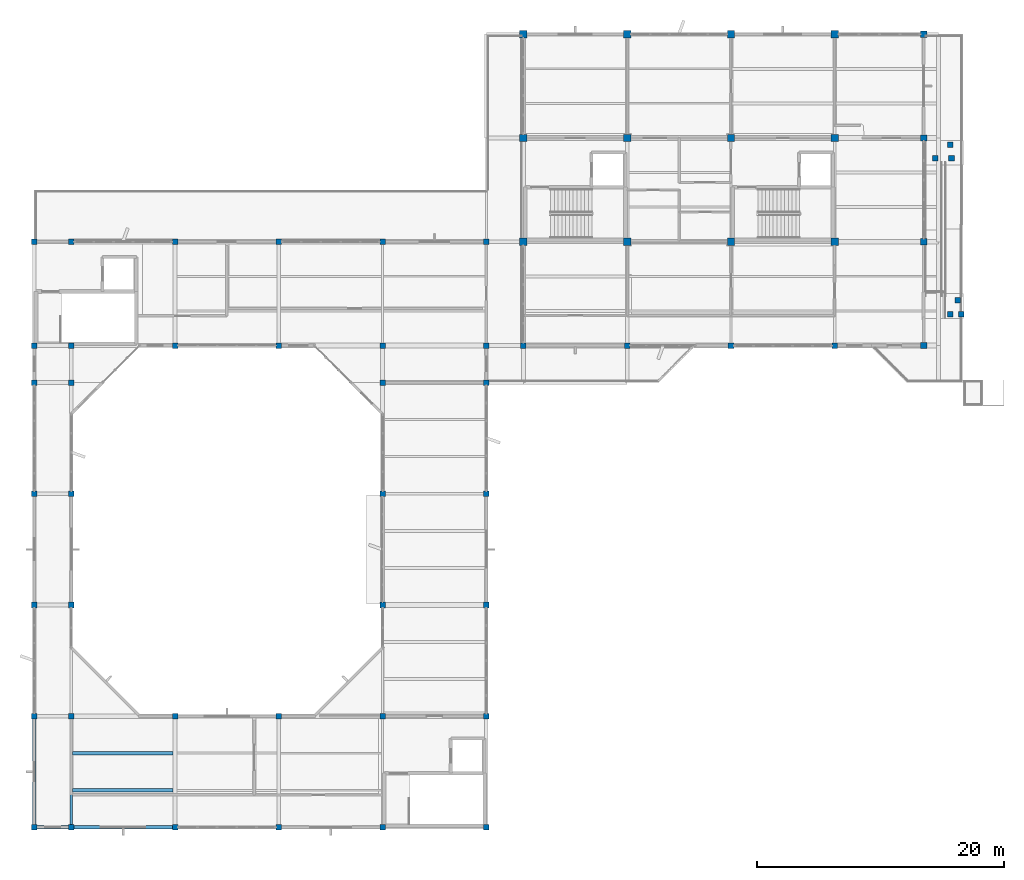
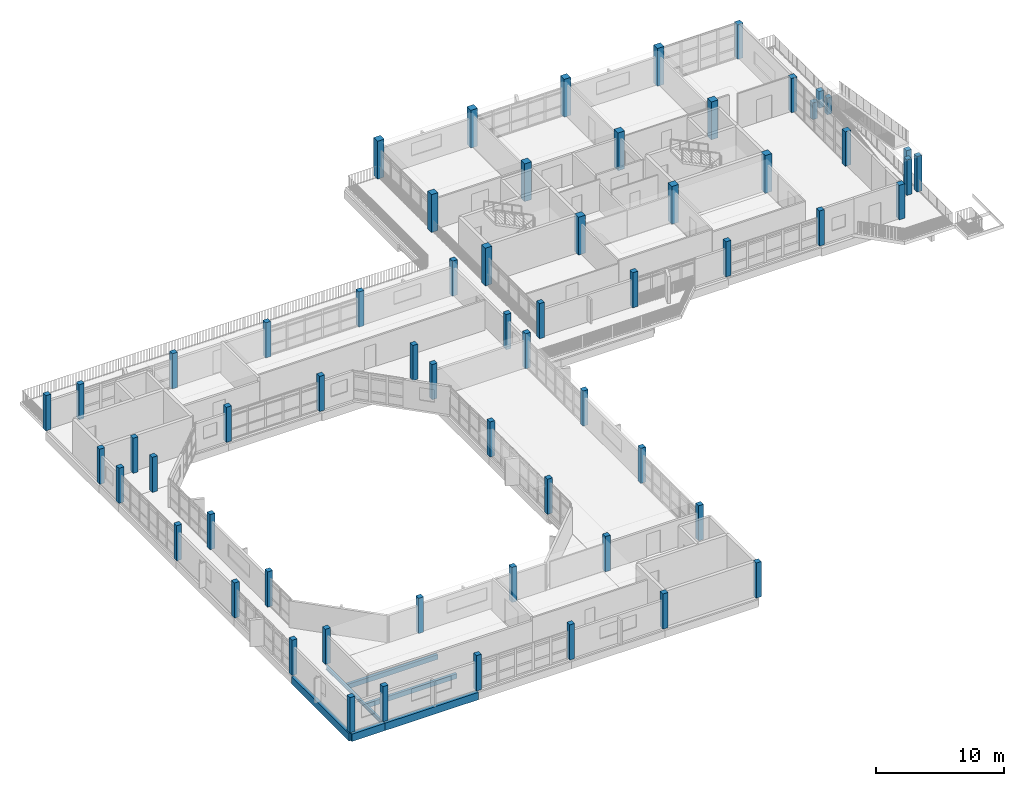
# One storey, part 1 of 33: 62 columns, 6 beams.
"""IFC4 building model written with IfcOpenShell, lengths in metres."""

from ifc_helpers import new_model, si_unit, direction, frame, origin, origin_2d, place, context, subcontext, project, spatial, rectangle, i_section, extrude, material, material_profile, profile_set, type_object, element, save


model = new_model("IFC4")

# Units and contexts
model_context = context("Model", 3, precision=1e-05, world=origin(), true_north=direction((0.0, 1.0)))
body_context = subcontext(model_context, "Body", "Model", "MODEL_VIEW")
ifc_project = project(units=[si_unit("LENGTHUNIT", "METRE"), si_unit("AREAUNIT", "SQUARE_METRE"), si_unit("VOLUMEUNIT", "CUBIC_METRE"), si_unit("PLANEANGLEUNIT", "RADIAN"), si_unit("MASSUNIT", "GRAM", prefix="KILO")], contexts=[model_context])

# Site, building, storey
site_placement = place(None, origin())
site = spatial("IfcSite", under=ifc_project, at=site_placement, CompositionType="ELEMENT")
building_placement = place(site_placement, origin())
building = spatial("IfcBuilding", under=site, at=building_placement, Name="Vanh Quang Courtyard School", CompositionType="ELEMENT")
storey_placement = place(building_placement, frame((0.0, 0.0, 18.60009765625)))
storey = spatial("IfcBuildingStorey", under=building, at=storey_placement, Name="L05", CompositionType="ELEMENT", Elevation=18.60009765625)

# Columns
ifc_material_1 = material(Name="Concrete C35/45", Category="concrete")
ifc_material_profile_1 = material_profile(ifc_material_1, rectangle(XDim=0.449951171875, YDim=0.449951171875, at=origin_2d()), Name="RC-COL 450x450")
ifc_profile_set_1 = profile_set([ifc_material_profile_1], Name="Concrete C35/45")
column_type_1 = type_object("IfcColumnType", Name="COL-RC-450", PredefinedType="COLUMN", material=ifc_profile_set_1)
for number, where, z_axis, x_axis, name in (
    (1, (37.800048828125, 32.39990234375, 0.0), (0.0, 0.0, 1.0), (1.0, 0.0, 0.0), "Column C-06 (L05)"),
    (2, (37.800048828125, 41.39990234375, 0.0), (0.0, 0.0, 1.0), (1.0, 0.0, 0.0), "Column C-06 (L05)"),
    (3, (37.800048828125, 50.39990234375, 0.0), (0.0, 0.0, 1.0), (1.0, 0.0, 0.0), "Column C-06 (L05)"),
    (4, (37.800048828125, 59.39990234375, 0.0), (0.0, 0.0, 1.0), (1.0, 0.0, 0.0), "Column C-06 (L05)"),
    (5, (37.800048828125, 68.39990234375, 0.0), (0.0, 0.0, 1.0), (1.0, 0.0, 0.0), "Column C-06 (L05)"),
    (6, (37.800048828125, 71.39990234375, 0.0), (0.0, 0.0, 1.0), (1.0, 0.0, 0.0), "Column C-06 (L05)"),
    (7, (37.800048828125, 79.800048828125, 0.0), (0.0, 0.0, 1.0), (1.0, 0.0, 0.0), "Column C-06 (L05)"),
    (8, (40.800048828125, 32.39990234375, 0.0), (0.0, 0.0, 1.0), (1.0, 0.0, 0.0), "Column C-06 (L05)"),
    (9, (40.800048828125, 41.39990234375, 0.0), (0.0, 0.0, 1.0), (1.0, 0.0, 0.0), "Column C-06 (L05)"),
    (10, (40.800048828125, 50.39990234375, 0.0), (0.0, 0.0, 1.0), (1.0, 0.0, 0.0), "Column C-06 (L05)"),
    (11, (40.800048828125, 59.39990234375, 0.0), (0.0, 0.0, 1.0), (1.0, 0.0, 0.0), "Column C-06 (L05)"),
    (12, (40.800048828125, 68.39990234375, 0.0), (0.0, 0.0, 1.0), (1.0, 0.0, 0.0), "Column C-06 (L05)"),
    (13, (40.800048828125, 71.39990234375, 0.0), (0.0, 0.0, 1.0), (1.0, 0.0, 0.0), "Column C-06 (L05)"),
    (14, (40.800048828125, 79.800048828125, 0.0), (0.0, 0.0, 1.0), (1.0, 0.0, 0.0), "Column C-06 (L05)"),
    (15, (49.199951171875, 32.39990234375, 0.0), (0.0, 0.0, 1.0), (1.0, 0.0, 0.0), "Column C-06 (L05)"),
    (16, (49.199951171875, 41.39990234375, 0.0), (0.0, 0.0, 1.0), (1.0, 0.0, 0.0), "Column C-06 (L05)"),
    (17, (49.199951171875, 71.39990234375, 0.0), (0.0, 0.0, 1.0), (1.0, 0.0, 0.0), "Column C-06 (L05)"),
    (18, (49.199951171875, 79.800048828125, 0.0), (0.0, 0.0, 1.0), (1.0, 0.0, 0.0), "Column C-06 (L05)"),
    (19, (57.60009765625, 32.39990234375, 0.0), (0.0, 0.0, 1.0), (1.0, 0.0, 0.0), "Column C-06 (L05)"),
    (20, (57.60009765625, 41.39990234375, 0.0), (0.0, 0.0, 1.0), (1.0, 0.0, 0.0), "Column C-06 (L05)"),
    (21, (57.60009765625, 71.39990234375, 0.0), (0.0, 0.0, 1.0), (1.0, 0.0, 0.0), "Column C-06 (L05)"),
    (22, (57.60009765625, 79.800048828125, 0.0), (0.0, 0.0, 1.0), (1.0, 0.0, 0.0), "Column C-06 (L05)"),
    (23, (66.0, 32.39990234375, 0.0), (0.0, 0.0, 1.0), (1.0, 0.0, 0.0), "Column C-06 (L05)"),
    (24, (66.0, 41.39990234375, 0.0), (0.0, 0.0, 1.0), (1.0, 0.0, 0.0), "Column C-06 (L05)"),
    (25, (66.0, 50.39990234375, 0.0), (0.0, 0.0, 1.0), (1.0, 0.0, 0.0), "Column C-06 (L05)"),
    (26, (66.0, 59.39990234375, 0.0), (0.0, 0.0, 1.0), (1.0, 0.0, 0.0), "Column C-06 (L05)"),
    (27, (66.0, 68.39990234375, 0.0), (0.0, 0.0, 1.0), (1.0, 0.0, 0.0), "Column C-06 (L05)"),
    (28, (66.0, 71.39990234375, 0.0), (0.0, 0.0, 1.0), (1.0, 0.0, 0.0), "Column C-06 (L05)"),
    (29, (66.0, 79.800048828125, 0.0), (0.0, 0.0, 1.0), (1.0, 0.0, 0.0), "Column C-06 (L05)"),
    (30, (74.39990234375, 32.39990234375, 0.0), (0.0, 0.0, 1.0), (1.0, 0.0, 0.0), "Column C-06 (L05)"),
    (31, (74.39990234375, 41.39990234375, 0.0), (0.0, 0.0, 1.0), (1.0, 0.0, 0.0), "Column C-06 (L05)"),
    (32, (74.39990234375, 50.39990234375, 0.0), (0.0, 0.0, 1.0), (1.0, 0.0, 0.0), "Column C-06 (L05)"),
    (33, (74.39990234375, 59.39990234375, 0.0), (0.0, 0.0, 1.0), (1.0, 0.0, 0.0), "Column C-06 (L05)"),
    (34, (74.39990234375, 68.39990234375, 0.0), (0.0, 0.0, 1.0), (1.0, 0.0, 0.0), "Column C-06 (L05)"),
    (35, (74.39990234375, 71.39990234375, 0.0), (0.0, 0.0, 1.0), (1.0, 0.0, 0.0), "Column C-06 (L05)"),
    (36, (74.39990234375, 79.800048828125, 0.0), (0.0, 0.0, 1.0), (1.0, 0.0, 0.0), "Column C-06 (L05)"),
    (37, (77.39990234375, 71.39990234375, 0.0), (0.0, 0.0, 1.0), (1.0, 0.0, 0.0), "Column C-06 (L05)"),
    (38, (85.800048828125, 71.39990234375, 0.0), (0.0, 0.0, 1.0), (1.0, 0.0, 0.0), "Column C-06 (L05)"),
    (39, (94.199951171875, 71.39990234375, 0.0), (0.0, 0.0, 1.0), (1.0, 0.0, 0.0), "Column C-06 (L05)"),
    (40, (102.60009765625, 71.39990234375, 0.0), (0.0, 0.0, 1.0), (1.0, 0.0, 0.0), "Column C-06 (L05)"),
):
    element("IfcColumn", number, at=place(storey_placement, frame(where, z_axis=z_axis, x_axis=x_axis)), inside=storey, type_object=column_type_1, Name=name, PredefinedType="COLUMN", context=body_context, shape_type="SweptSolid", body=[
        extrude(rectangle(XDim=0.449951171875, YDim=0.449951171875, at=origin_2d()), origin(), (0.0, 0.0, 1.0), 3.349853515625),
    ])
for number, where, z_axis, x_axis, name in (
    (41, (110.75, 86.550048828125, 0.0), (0.0, 0.0, 1.0), (1.0, 0.0, 0.0), "Column C-06 (L05)"),
    (42, (112.050048828125, 86.550048828125, 0.0), (0.0, 0.0, 1.0), (1.0, 0.0, 0.0), "Column C-06 (L05)"),
    (43, (111.949951171875, 87.64990234375, 0.0), (0.0, 0.0, 1.0), (1.0, 0.0, 0.0), "Column C-06 (L05)"),
):
    element("IfcColumn", number, at=place(storey_placement, frame(where, z_axis=z_axis, x_axis=x_axis)), inside=storey, type_object=column_type_1, Name=name, PredefinedType="COLUMN", context=body_context, shape_type="SweptSolid", body=[
        extrude(rectangle(XDim=0.449951171875, YDim=0.449951171875, at=origin_2d()), origin(), (0.0, 0.0, 1.0), 1.579833984375),
    ])
for number, where, z_axis, x_axis, name in (
    (44, (111.949951171875, 73.949951171875, 0.0), (0.0, 0.0, 1.0), (1.0, 0.0, 0.0), "Column C-06 (L05)"),
    (45, (112.85009765625, 73.949951171875, 0.0), (0.0, 0.0, 1.0), (1.0, 0.0, 0.0), "Column C-06 (L05)"),
    (46, (112.550048828125, 75.050048828125, 0.0), (0.0, 0.0, 1.0), (1.0, 0.0, 0.0), "Column C-06 (L05)"),
):
    element("IfcColumn", number, at=place(storey_placement, frame(where, z_axis=z_axis, x_axis=x_axis)), inside=storey, type_object=column_type_1, Name=name, PredefinedType="COLUMN", context=body_context, shape_type="SweptSolid", body=[
        extrude(rectangle(XDim=0.449951171875, YDim=0.449951171875, at=origin_2d()), origin(), (0.0, 0.0, 1.0), 3.3798828125),
    ])
ifc_material_profile_2 = material_profile(ifc_material_1, rectangle(XDim=0.5, YDim=0.5, at=origin_2d()), Name="RC-COL 500x500")
ifc_profile_set_2 = profile_set([ifc_material_profile_2], Name="Concrete C35/45")
column_type_2 = type_object("IfcColumnType", Name="COL-RC-500", PredefinedType="COLUMN", material=ifc_profile_set_2)
for number, where, z_axis, x_axis, name in (
    (47, (109.800048828125, 71.39990234375, 0.0), (0.0, 0.0, 1.0), (1.0, 0.0, 0.0), "Column C-05 (L05)"),
    (48, (109.800048828125, 79.800048828125, 0.0), (0.0, 0.0, 1.0), (1.0, 0.0, 0.0), "Column C-05 (L05)"),
    (49, (109.800048828125, 88.199951171875, 0.0), (0.0, 0.0, 1.0), (1.0, 0.0, 0.0), "Column C-05 (L05)"),
    (50, (109.800048828125, 96.60009765625, 0.0), (0.0, 0.0, 1.0), (1.0, 0.0, 0.0), "Column C-05 (L05)"),
):
    element("IfcColumn", number, at=place(storey_placement, frame(where, z_axis=z_axis, x_axis=x_axis)), inside=storey, type_object=column_type_2, Name=name, PredefinedType="COLUMN", context=body_context, shape_type="SweptSolid", body=[
        extrude(rectangle(XDim=0.5, YDim=0.5, at=origin_2d()), origin(), (0.0, 0.0, 1.0), 3.27978515625),
    ])
ifc_material_profile_3 = material_profile(ifc_material_1, rectangle(XDim=0.60009765625, YDim=0.60009765625, at=origin_2d()), Name="RC-COL 600x600")
ifc_profile_set_3 = profile_set([ifc_material_profile_3], Name="Concrete C35/45")
column_type_3 = type_object("IfcColumnType", Name="COL-RC-600", PredefinedType="COLUMN", material=ifc_profile_set_3)
for number, where, z_axis, x_axis, name in (
    (51, (77.39990234375, 79.800048828125, 0.0), (0.0, 0.0, 1.0), (1.0, 0.0, 0.0), "Column C-03 (L05)"),
    (52, (77.39990234375, 88.199951171875, 0.0), (0.0, 0.0, 1.0), (1.0, 0.0, 0.0), "Column C-03 (L05)"),
    (53, (77.39990234375, 96.60009765625, 0.0), (0.0, 0.0, 1.0), (1.0, 0.0, 0.0), "Column C-03 (L05)"),
    (54, (85.800048828125, 79.800048828125, 0.0), (0.0, 0.0, 1.0), (1.0, 0.0, 0.0), "Column C-03 (L05)"),
    (55, (85.800048828125, 88.199951171875, 0.0), (0.0, 0.0, 1.0), (1.0, 0.0, 0.0), "Column C-03 (L05)"),
    (56, (85.800048828125, 96.60009765625, 0.0), (0.0, 0.0, 1.0), (1.0, 0.0, 0.0), "Column C-03 (L05)"),
    (57, (94.199951171875, 79.800048828125, 0.0), (0.0, 0.0, 1.0), (1.0, 0.0, 0.0), "Column C-03 (L05)"),
    (58, (94.199951171875, 88.199951171875, 0.0), (0.0, 0.0, 1.0), (1.0, 0.0, 0.0), "Column C-03 (L05)"),
    (59, (94.199951171875, 96.60009765625, 0.0), (0.0, 0.0, 1.0), (1.0, 0.0, 0.0), "Column C-03 (L05)"),
    (60, (102.60009765625, 79.800048828125, 0.0), (0.0, 0.0, 1.0), (1.0, 0.0, 0.0), "Column C-03 (L05)"),
    (61, (102.60009765625, 88.199951171875, 0.0), (0.0, 0.0, 1.0), (1.0, 0.0, 0.0), "Column C-03 (L05)"),
    (62, (102.60009765625, 96.60009765625, 0.0), (0.0, 0.0, 1.0), (1.0, 0.0, 0.0), "Column C-03 (L05)"),
):
    element("IfcColumn", number, at=place(storey_placement, frame(where, z_axis=z_axis, x_axis=x_axis)), inside=storey, type_object=column_type_3, Name=name, PredefinedType="COLUMN", context=body_context, shape_type="SweptSolid", body=[
        extrude(rectangle(XDim=0.60009765625, YDim=0.60009765625, at=origin_2d()), origin(), (0.0, 0.0, 1.0), 3.599853515625),
    ])

# Beams
ifc_material_profile_4 = material_profile(ifc_material_1, rectangle(XDim=0.300048828125, YDim=0.699951171875, at=origin_2d()), Name="RC-SP 300x700")
ifc_profile_set_4 = profile_set([ifc_material_profile_4], Name="Concrete C35/45")
beam_type_1 = type_object("IfcBeamType", Name="BM-SP-300x700", PredefinedType="SPANDREL", material=ifc_profile_set_4)
beam_1_placement = place(storey_placement, frame((37.800048828125, 32.39990234375, -0.60009765625), z_axis=(1.0, 0.0, 0.0), x_axis=(0.0, 1.0, 0.0)))
element("IfcBeam", 63, at=beam_1_placement, inside=storey, type_object=beam_type_1, Name="Beam BS-01 (L05)", PredefinedType="SPANDREL", context=body_context, shape_type="SweptSolid", body=[
    extrude(rectangle(XDim=0.300048828125, YDim=0.699951171875, at=origin_2d()), origin(), (0.0, 0.0, 1.0), 3.0),
])
beam_2_placement = place(storey_placement, frame((40.800048828125, 32.39990234375, -0.60009765625), z_axis=(1.0, 0.0, 0.0), x_axis=(0.0, 1.0, 0.0)))
element("IfcBeam", 64, at=beam_2_placement, inside=storey, type_object=beam_type_1, Name="Beam BS-01 (L05)", PredefinedType="SPANDREL", context=body_context, shape_type="SweptSolid", body=[
    extrude(rectangle(XDim=0.300048828125, YDim=0.699951171875, at=origin_2d()), origin(), (0.0, 0.0, 1.0), 8.39990234375),
])
beam_3_placement = place(storey_placement, frame((37.800048828125, 32.39990234375, -0.60009765625), z_axis=(0.0, 1.0, 0.0), x_axis=(-1.0, 0.0, 0.0)))
element("IfcBeam", 65, at=beam_3_placement, inside=storey, type_object=beam_type_1, Name="Beam BS-01 (L05)", PredefinedType="SPANDREL", context=body_context, shape_type="SweptSolid", body=[
    extrude(rectangle(XDim=0.300048828125, YDim=0.699951171875, at=origin_2d()), origin(), (0.0, 0.0, 1.0), 9.0),
])
ifc_material_2 = material(Name="Structural steel EN 10025-2 S355J2", Category="steel")
ifc_material_profile_5 = material_profile(ifc_material_2, i_section(OverallWidth=0.169921875, OverallDepth=0.360107421875, WebThickness=0.008056640625, FlangeThickness=0.0126953125, FilletRadius=0.01806640625, at=origin_2d()), Name="IPE 360")
ifc_profile_set_5 = profile_set([ifc_material_profile_5], Name="Structural steel EN 10025-2 S355J2")
beam_type_2 = type_object("IfcBeamType", Name="BM-STL-IPE360", PredefinedType="BEAM", material=ifc_profile_set_5)
beam_4_placement = place(storey_placement, frame((40.800048828125, 32.39990234375, -0.43017578125), z_axis=(0.0, 1.0, 0.0), x_axis=(-1.0, 0.0, 0.0)))
element("IfcBeam", 66, at=beam_4_placement, inside=storey, type_object=beam_type_2, Name="Beam SB-06 (L05)", PredefinedType="BEAM", context=body_context, shape_type="SweptSolid", body=[
    extrude(i_section(OverallWidth=0.169921875, OverallDepth=0.360107421875, WebThickness=0.008056640625, FlangeThickness=0.0126953125, FilletRadius=0.01806640625, at=origin_2d()), origin(), (0.0, 0.0, 1.0), 9.0),
])
ifc_material_3 = material(Name="Concrete C30/37", Category="concrete")
ifc_material_profile_6 = material_profile(ifc_material_3, rectangle(XDim=0.25, YDim=0.449951171875, at=origin_2d()), Name="RC-JST 250x450")
ifc_profile_set_6 = profile_set([ifc_material_profile_6], Name="Concrete C30/37")
beam_type_3 = type_object("IfcBeamType", Name="JST-RC-250x450", PredefinedType="JOIST", material=ifc_profile_set_6)
for number, where, z_axis, x_axis, name in (
    (67, (40.885009765625, 35.39990234375, -0.47509765625), (1.0, 0.0, 0.0), (0.0, 1.0, 0.0), "Beam BJ-02 (L05)"),
    (68, (40.885009765625, 38.39990234375, -0.47509765625), (1.0, 0.0, 0.0), (0.0, 1.0, 0.0), "Beam BJ-02 (L05)"),
):
    element("IfcBeam", number, at=place(storey_placement, frame(where, z_axis=z_axis, x_axis=x_axis)), inside=storey, type_object=beam_type_3, Name=name, PredefinedType="JOIST", context=body_context, shape_type="SweptSolid", body=[
        extrude(rectangle(XDim=0.25, YDim=0.449951171875, at=origin_2d()), origin(), (0.0, 0.0, 1.0), 8.139892578125),
    ])

save(model, "model.ifc")
